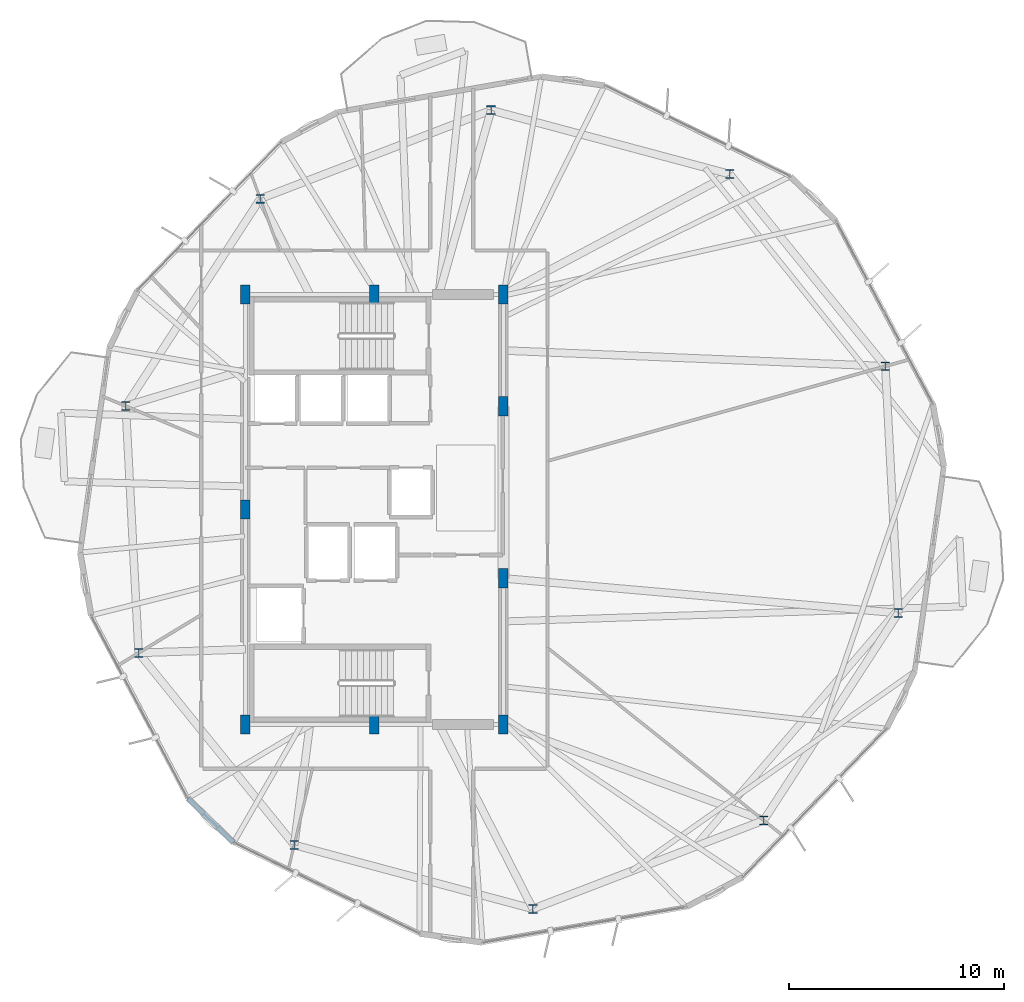
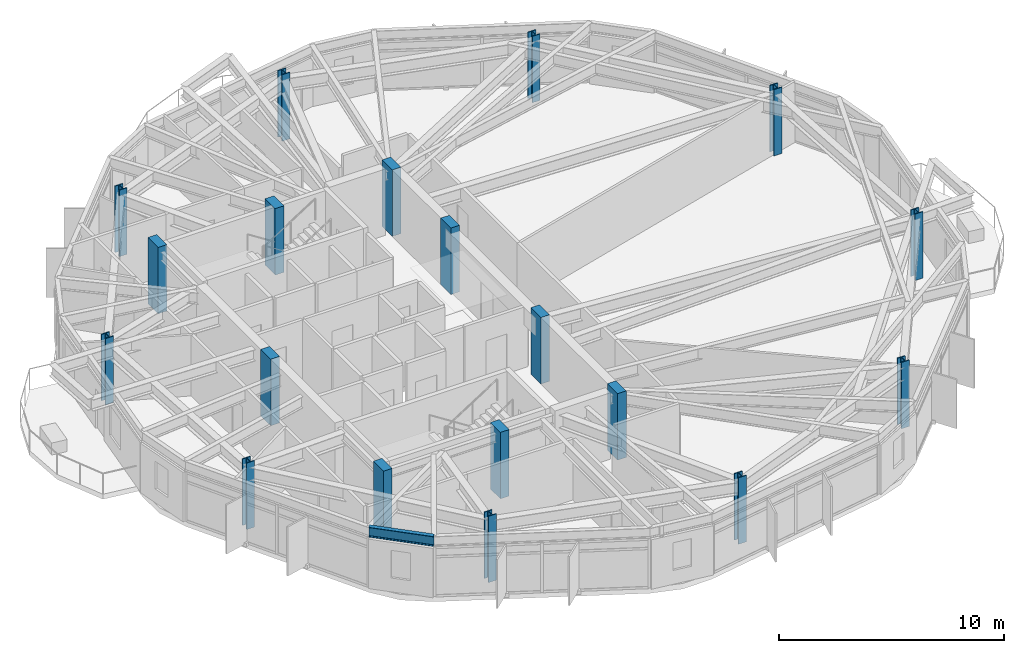
# One storey, part 1 of 28: 19 columns, 1 beam.
"""IFC4 building model written with IfcOpenShell, lengths in metres."""

from ifc_helpers import new_model, si_unit, direction, frame, origin, origin_2d, place, context, subcontext, project, spatial, rectangle, i_section, extrude, material, material_profile, profile_set, type_object, element, save


model = new_model("IFC4")

# Units and contexts
model_context = context("Model", 3, precision=1e-05, world=origin(), true_north=direction((0.0, 1.0)))
body_context = subcontext(model_context, "Body", "Model", "MODEL_VIEW")
ifc_project = project(units=[si_unit("LENGTHUNIT", "METRE"), si_unit("AREAUNIT", "SQUARE_METRE"), si_unit("VOLUMEUNIT", "CUBIC_METRE"), si_unit("PLANEANGLEUNIT", "RADIAN"), si_unit("MASSUNIT", "GRAM", prefix="KILO")], contexts=[model_context])

# Site, building, storey
site_placement = place(None, origin())
site = spatial("IfcSite", under=ifc_project, at=site_placement, CompositionType="ELEMENT")
building_placement = place(site_placement, origin())
building = spatial("IfcBuilding", under=site, at=building_placement, Name="Soratama Intermodal Tower", CompositionType="ELEMENT")
storey_placement = place(building_placement, frame((0.0, 0.0, 201.39990234375)))
storey = spatial("IfcBuildingStorey", under=building, at=storey_placement, Name="L50", CompositionType="ELEMENT", Elevation=201.39990234375)

# Columns
ifc_material_1 = material(Name="Structural steel ASTM A992 Grade 50", Category="steel")
ifc_material_profile_1 = material_profile(ifc_material_1, i_section(OverallWidth=0.406005859375, OverallDepth=0.416015625, WebThickness=0.02978515625, FlangeThickness=0.048095703125, FilletRadius=0.0380859375, at=origin_2d()), Name="W14X257")
ifc_profile_set_1 = profile_set([ifc_material_profile_1], Name="Structural steel ASTM A992 Grade 50")
column_type_1 = type_object("IfcColumnType", Name="COL-ZD-W14X257", PredefinedType="COLUMN", material=ifc_profile_set_1)
for number, where, z_axis, x_axis, name in (
    (1, (62.364501953125, 31.66552734375, 0.0), (0.0, 0.0, 1.0), (1.0, 0.0, 0.0), "L50 Tower Ring Column R01"),
    (2, (55.13037109375, 40.599365234375, 0.0), (0.0, 0.0, 1.0), (1.0, 0.0, 0.0), "L50 Tower Ring Column R02"),
    (3, (44.026611328125, 43.574462890625, 0.0), (0.0, 0.0, 1.0), (1.0, 0.0, 0.0), "L50 Tower Ring Column R03"),
    (4, (33.294677734375, 39.454833984375, 0.0), (0.0, 0.0, 1.0), (1.0, 0.0, 0.0), "L50 Tower Ring Column R04"),
    (5, (27.03369140625, 29.81396484375, 0.0), (0.0, 0.0, 1.0), (1.0, 0.0, 0.0), "L50 Tower Ring Column R05"),
    (6, (27.635498046875, 18.33447265625, 0.0), (0.0, 0.0, 1.0), (1.0, 0.0, 0.0), "L50 Tower Ring Column R06"),
    (7, (34.86962890625, 9.400634765625, 0.0), (0.0, 0.0, 1.0), (1.0, 0.0, 0.0), "L50 Tower Ring Column R07"),
    (8, (45.973388671875, 6.425537109375, 0.0), (0.0, 0.0, 1.0), (1.0, 0.0, 0.0), "L50 Tower Ring Column R08"),
    (9, (56.705322265625, 10.545166015625, 0.0), (0.0, 0.0, 1.0), (1.0, 0.0, 0.0), "L50 Tower Ring Column R09"),
    (10, (62.96630859375, 20.18603515625, 0.0), (0.0, 0.0, 1.0), (1.0, 0.0, 0.0), "L50 Tower Ring Column R10"),
):
    element("IfcColumn", number, at=place(storey_placement, frame(where, z_axis=z_axis, x_axis=x_axis)), inside=storey, type_object=column_type_1, Name=name, PredefinedType="COLUMN", context=body_context, shape_type="SweptSolid", body=[
        extrude(i_section(OverallWidth=0.406005859375, OverallDepth=0.416015625, WebThickness=0.02978515625, FlangeThickness=0.048095703125, FilletRadius=0.0380859375, at=origin_2d()), origin(), (0.0, 0.0, 1.0), 3.60009765625),
    ])
ifc_material_2 = material(Name="Concrete f'c 56 MPa", Category="concrete")
ifc_material_profile_2 = material_profile(ifc_material_2, rectangle(XDim=0.449951171875, YDim=0.89990234375, at=origin_2d()), Name="RC450X900")
ifc_profile_set_2 = profile_set([ifc_material_profile_2], Name="Concrete f'c 56 MPa")
column_type_2 = type_object("IfcColumnType", Name="PIL-CORE-450X900", PredefinedType="PILASTER", material=ifc_profile_set_2)
for number, where, z_axis, x_axis, name in (
    (11, (32.60009765625, 15.0, 0.0), (0.0, 0.0, 1.0), (1.0, 0.0, 0.0), "L50 Core Pilaster 1"),
    (12, (32.60009765625, 25.0, 0.0), (0.0, 0.0, 1.0), (1.0, 0.0, 0.0), "L50 Core Pilaster 2"),
    (13, (32.60009765625, 35.0, 0.0), (0.0, 0.0, 1.0), (1.0, 0.0, 0.0), "L50 Core Pilaster 3"),
    (14, (38.60009765625, 15.0, 0.0), (0.0, 0.0, 1.0), (1.0, 0.0, 0.0), "L50 Core Pilaster 4"),
    (15, (38.60009765625, 35.0, 0.0), (0.0, 0.0, 1.0), (1.0, 0.0, 0.0), "L50 Core Pilaster 5"),
    (16, (44.60009765625, 15.0, 0.0), (0.0, 0.0, 1.0), (1.0, 0.0, 0.0), "L50 Core Pilaster 6"),
    (17, (44.60009765625, 21.800048828125, 0.0), (0.0, 0.0, 1.0), (1.0, 0.0, 0.0), "L50 Core Pilaster 7"),
    (18, (44.60009765625, 29.800048828125, 0.0), (0.0, 0.0, 1.0), (1.0, 0.0, 0.0), "L50 Core Pilaster 8"),
    (19, (44.60009765625, 35.0, 0.0), (0.0, 0.0, 1.0), (1.0, 0.0, 0.0), "L50 Core Pilaster 9"),
):
    element("IfcColumn", number, at=place(storey_placement, frame(where, z_axis=z_axis, x_axis=x_axis)), inside=storey, type_object=column_type_2, Name=name, PredefinedType="PILASTER", context=body_context, shape_type="SweptSolid", body=[
        extrude(rectangle(XDim=0.449951171875, YDim=0.89990234375, at=origin_2d()), origin(), (0.0, 0.0, 1.0), 3.60009765625),
    ])

# Beam
ifc_material_3 = material(Name="Structural steel ASTM A992 Grade 50", Category="steel")
ifc_material_profile_3 = material_profile(ifc_material_3, i_section(OverallWidth=0.2099609375, OverallDepth=0.537109375, WebThickness=0.010986328125, FlangeThickness=0.017333984375, FilletRadius=0.012939453125, at=origin_2d()), Name="W21X68")
ifc_profile_set_3 = profile_set([ifc_material_profile_3], Name="Structural steel ASTM A992 Grade 50")
beam_type = type_object("IfcBeamType", Name="BM-SPN-W21X68", PredefinedType="SPANDREL", material=ifc_profile_set_3)
beam_placement = place(storey_placement, frame((29.9208984375, 11.571044921875, 3.031494140625), z_axis=(0.718172089071, -0.695865540517, 0.0), x_axis=(0.695865540517, 0.718172089071, 0.0)))
element("IfcBeam", 20, at=beam_placement, inside=storey, type_object=beam_type, Name="BS-L50-CRN05", PredefinedType="SPANDREL", context=body_context, shape_type="SweptSolid", body=[
    extrude(i_section(OverallWidth=0.2099609375, OverallDepth=0.537109375, WebThickness=0.010986328125, FlangeThickness=0.017333984375, FilletRadius=0.012939453125, at=origin_2d()), origin(), (0.0, 0.0, 1.0), 2.966064453125),
])

save(model, "model.ifc")
